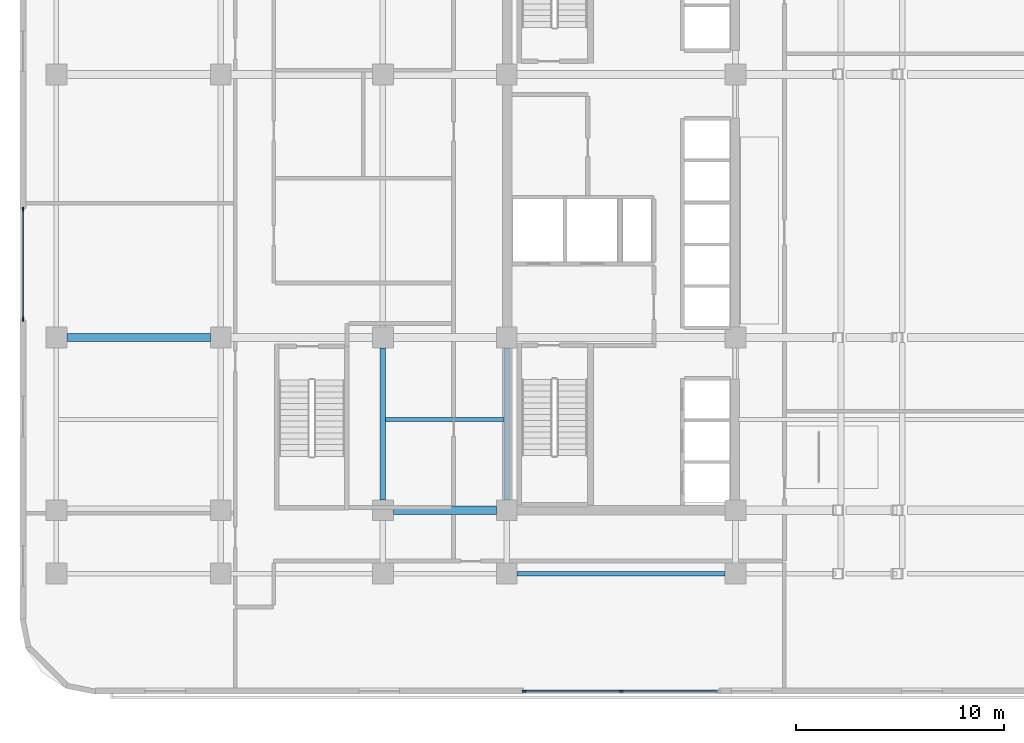
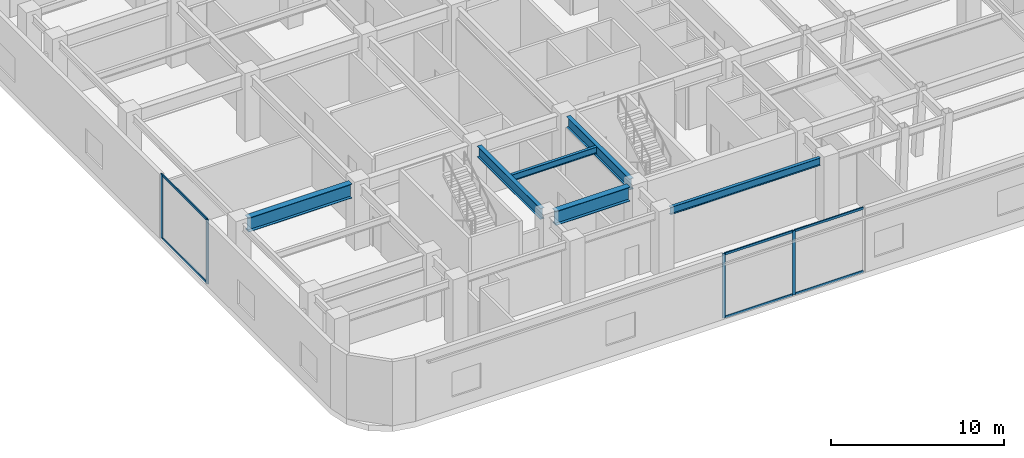
# One storey, part 2 of 18: 10 members, 6 beams, 2 elements without a shape of their own.
"""IFC4 building model written with IfcOpenShell, lengths in metres."""

from ifc_helpers import new_model, si_unit, direction, frame, origin, origin_2d, place, context, subcontext, project, spatial, rectangle, i_section, extrude, material, layer, layer_set, material_profile, profile_set, type_object, element, aggregate, save


model = new_model("IFC4")

# Units and contexts
model_context = context("Model", 3, precision=1e-05, world=origin(), true_north=direction((0.0, 1.0)))
body_context = subcontext(model_context, "Body", "Model", "MODEL_VIEW")
ifc_project = project(units=[si_unit("LENGTHUNIT", "METRE"), si_unit("AREAUNIT", "SQUARE_METRE"), si_unit("VOLUMEUNIT", "CUBIC_METRE"), si_unit("PLANEANGLEUNIT", "RADIAN"), si_unit("MASSUNIT", "GRAM", prefix="KILO")], contexts=[model_context])

# Site, building, storey
site_placement = place(None, origin())
site = spatial("IfcSite", under=ifc_project, at=site_placement, CompositionType="ELEMENT")
building_placement = place(site_placement, origin())
building = spatial("IfcBuilding", under=site, at=building_placement, Name="Ochreholt Gables", CompositionType="ELEMENT")
storey_placement = place(building_placement, frame((0.0, 0.0, 4.800048828125)))
storey = spatial("IfcBuildingStorey", under=building, at=storey_placement, Name="L01", CompositionType="ELEMENT", Elevation=4.800048828125)

# Beams
ifc_material_1 = material(Name="Steel CSA G40.21 350W", Category="steel")
ifc_material_profile_1 = material_profile(ifc_material_1, i_section(OverallWidth=0.39990234375, OverallDepth=1.0, WebThickness=0.0166015625, FlangeThickness=0.031005859375, at=origin_2d()), Name="W1000X321")
ifc_profile_set_1 = profile_set([ifc_material_profile_1], Name="Steel CSA G40.21 350W")
beam_type_1 = type_object("IfcBeamType", Name="BM-G-W1000", PredefinedType="BEAM", material=ifc_profile_set_1)
beam_1_placement = place(storey_placement, frame((18.74951171875, 9.25, 4.02001953125), z_axis=(1.0, 0.0, 0.0), x_axis=(0.0, 1.0, 0.0)))
element("IfcBeam", 1, at=beam_1_placement, inside=storey, type_object=beam_type_1, Name="L01 Beam BG-L01-W3C1-Y2", PredefinedType="BEAM", context=body_context, shape_type="SweptSolid", body=[
    extrude(i_section(OverallWidth=0.39990234375, OverallDepth=1.0, WebThickness=0.0166015625, FlangeThickness=0.031005859375, at=origin_2d()), origin(), (0.0, 0.0, 1.0), 4.950927734375),
])
beam_2_placement = place(storey_placement, frame((3.049560546875, 17.550048828125, 4.02001953125), z_axis=(1.0, 0.0, 0.0), x_axis=(0.0, 1.0, 0.0)))
element("IfcBeam", 2, at=beam_2_placement, inside=storey, type_object=beam_type_1, Name="L01 Beam BG-L01-W1W2-Y3", PredefinedType="BEAM", context=body_context, shape_type="SweptSolid", body=[
    extrude(i_section(OverallWidth=0.39990234375, OverallDepth=1.0, WebThickness=0.0166015625, FlangeThickness=0.031005859375, at=origin_2d()), origin(), (0.0, 0.0, 1.0), 6.90087890625),
])
ifc_material_profile_2 = material_profile(ifc_material_1, i_section(OverallWidth=0.26806640625, OverallDepth=0.77001953125, WebThickness=0.015625, FlangeThickness=0.025390625, at=origin_2d()), Name="W760X196")
ifc_profile_set_2 = profile_set([ifc_material_profile_2], Name="Steel CSA G40.21 350W")
beam_type_2 = type_object("IfcBeamType", Name="BM-G-W760", PredefinedType="BEAM", material=ifc_profile_set_2)
for number, where, z_axis, x_axis, name in (
    (3, (18.25, 9.74951171875, 4.135009765625), (0.0, 1.0, 0.0), (-1.0, 0.0, 0.0), "L01 Beam BG-L01-W3-Y2Y3"),
    (4, (24.199951171875, 9.74951171875, 4.135009765625), (0.0, 1.0, 0.0), (-1.0, 0.0, 0.0), "L01 Beam BG-L01-C1-Y2Y3"),
):
    element("IfcBeam", number, at=place(storey_placement, frame(where, z_axis=z_axis, x_axis=x_axis)), inside=storey, type_object=beam_type_2, Name=name, PredefinedType="BEAM", context=body_context, shape_type="SweptSolid", body=[
        extrude(i_section(OverallWidth=0.26806640625, OverallDepth=0.77001953125, WebThickness=0.015625, FlangeThickness=0.025390625, at=origin_2d()), origin(), (0.0, 0.0, 1.0), 7.30078125),
    ])
ifc_material_profile_3 = material_profile(ifc_material_1, i_section(OverallWidth=0.18994140625, OverallDepth=0.45703125, WebThickness=0.009033203125, FlangeThickness=0.014404296875, at=origin_2d()), Name="W460X74")
ifc_profile_set_3 = profile_set([ifc_material_profile_3], Name="Steel CSA G40.21 350W")
beam_type_3 = type_object("IfcBeamType", Name="BM-J-W460B", PredefinedType="JOIST", material=ifc_profile_set_3)
beam_3_placement = place(storey_placement, frame((18.383544921875, 13.60009765625, 4.29150390625), z_axis=(1.0, 0.0, 0.0), x_axis=(0.0, 1.0, 0.0)))
element("IfcBeam", 5, at=beam_3_placement, inside=storey, type_object=beam_type_3, Name="L01 Beam BJ-L01-J1-W3C1", PredefinedType="JOIST", context=body_context, shape_type="SweptSolid", body=[
    extrude(i_section(OverallWidth=0.18994140625, OverallDepth=0.45703125, WebThickness=0.009033203125, FlangeThickness=0.014404296875, at=origin_2d()), origin(), (0.0, 0.0, 1.0), 5.682861328125),
])
ifc_material_profile_4 = material_profile(ifc_material_1, i_section(OverallWidth=0.208984375, OverallDepth=0.532958984375, WebThickness=0.01025390625, FlangeThickness=0.015625, at=origin_2d()), Name="W530X92")
ifc_profile_set_4 = profile_set([ifc_material_profile_4], Name="Steel CSA G40.21 350W")
beam_type_4 = type_object("IfcBeamType", Name="BM-SP-W530B", PredefinedType="SPANDREL", material=ifc_profile_set_4)
beam_4_placement = place(storey_placement, frame((24.69970703125, 6.199951171875, 4.25341796875), z_axis=(1.0, 0.0, 0.0), x_axis=(0.0, 1.0, 0.0)))
element("IfcBeam", 6, at=beam_4_placement, inside=storey, type_object=beam_type_4, Name="L01 Beam BG-L01-C1C2-Y1", PredefinedType="SPANDREL", context=body_context, shape_type="SweptSolid", body=[
    extrude(i_section(OverallWidth=0.208984375, OverallDepth=0.532958984375, WebThickness=0.01025390625, FlangeThickness=0.015625, at=origin_2d()), origin(), (0.0, 0.0, 1.0), 10.000732421875),
])

# Curtain wall, members
ifc_material_2 = material(Name="Unitised Aluminium and Triple Glazing", Category="aluminium")
ifc_layer = layer(ifc_material_2, 0.199951171875, Name="Unitised Aluminium and Triple Glazing")
ifc_layer_set = layer_set([ifc_layer], Name="Unitised Aluminium and Triple Glazing")
curtain_wall_type = type_object("IfcCurtainWallType", Name="CW-SYS1", PredefinedType="NOTDEFINED", material=ifc_layer_set)
curtain_wall_1_placement = place(storey_placement, origin())
curtain_wall_1 = element("IfcCurtainWall", 7, at=curtain_wall_1_placement, inside=storey, type_object=curtain_wall_type, Name="L01 South Unitised Curtain Wall", PredefinedType="NOTDEFINED")
ifc_material_3 = material(Name="Anodized Aluminium 6063-T6", Category="aluminium")
ifc_material_profile_5 = material_profile(ifc_material_3, rectangle(XDim=0.074951171875, YDim=0.199951171875, at=origin_2d()), Name="CWM75X200")
ifc_profile_set_5 = profile_set([ifc_material_profile_5], Name="Anodized Aluminium 6063-T6")
member_type_1 = type_object("IfcMemberType", Name="CW-MUL-A", PredefinedType="MULLION", material=ifc_profile_set_5)
member_1_placement = place(storey_placement, frame((25.03759765625, 0.544921875, 0.0), z_axis=(0.0, 0.0, 1.0), x_axis=(0.0, 1.0, 0.0)))
member_1 = element("IfcMember", 8, at=member_1_placement, type_object=member_type_1, Name="CW-1 mullion 1", PredefinedType="MULLION", context=body_context, shape_type="SweptSolid", body=[
    extrude(rectangle(XDim=0.074951171875, YDim=0.199951171875, at=origin_2d()), origin(), (0.0, 0.0, 1.0), 4.52001953125),
])
member_2_placement = place(storey_placement, frame((29.699951171875, 0.544921875, 0.0), z_axis=(0.0, 0.0, 1.0), x_axis=(0.0, 1.0, 0.0)))
member_2 = element("IfcMember", 9, at=member_2_placement, type_object=member_type_1, Name="CW-1 mullion 2", PredefinedType="MULLION", context=body_context, shape_type="SweptSolid", body=[
    extrude(rectangle(XDim=0.074951171875, YDim=0.199951171875, at=origin_2d()), origin(), (0.0, 0.0, 1.0), 4.52001953125),
])

curtain_wall_2_placement = place(storey_placement, origin())
curtain_wall_2 = element("IfcCurtainWall", 10, at=curtain_wall_2_placement, inside=storey, type_object=curtain_wall_type, Name="L01 West Unitised Curtain Wall", PredefinedType="NOTDEFINED")
member_3_placement = place(storey_placement, frame((0.945068359375, 23.71240234375, 0.0), z_axis=(0.0, 0.0, 1.0), x_axis=(1.0, 0.0, 0.0)))
member_3 = element("IfcMember", 11, at=member_3_placement, type_object=member_type_1, Name="CW-1 mullion 1", PredefinedType="MULLION", context=body_context, shape_type="SweptSolid", body=[
    extrude(rectangle(XDim=0.074951171875, YDim=0.199951171875, at=origin_2d()), origin(), (0.0, 0.0, 1.0), 4.52001953125),
])
member_4_placement = place(storey_placement, frame((0.945068359375, 18.4375, 0.0), z_axis=(0.0, 0.0, 1.0), x_axis=(1.0, 0.0, 0.0)))
member_4 = element("IfcMember", 12, at=member_4_placement, type_object=member_type_1, Name="CW-1 mullion 2", PredefinedType="MULLION", context=body_context, shape_type="SweptSolid", body=[
    extrude(rectangle(XDim=0.074951171875, YDim=0.199951171875, at=origin_2d()), origin(), (0.0, 0.0, 1.0), 4.52001953125),
])

# Member
ifc_material_profile_6 = material_profile(ifc_material_3, rectangle(XDim=0.074951171875, YDim=0.159912109375, at=origin_2d()), Name="CWT75X160")
ifc_profile_set_6 = profile_set([ifc_material_profile_6], Name="Anodized Aluminium 6063-T6")
member_type_2 = type_object("IfcMemberType", Name="CW-TRN-A", PredefinedType="USERDEFINED", material=ifc_profile_set_6)
member_5_placement = place(storey_placement, frame((25.074951171875, 0.544921875, 0.037353515625), z_axis=(1.0, 0.0, 0.0), x_axis=(0.0, 1.0, 0.0)))
member_5 = element("IfcMember", 13, at=member_5_placement, type_object=member_type_2, Name="CW-1 transom 1.1", ObjectType="TRANSOM", PredefinedType="USERDEFINED", context=body_context, shape_type="SweptSolid", body=[
    extrude(rectangle(XDim=0.074951171875, YDim=0.159912109375, at=origin_2d()), origin(), (0.0, 0.0, 1.0), 4.587646484375),
])

member_6_placement = place(storey_placement, frame((25.074951171875, 0.544921875, 4.482421875), z_axis=(1.0, 0.0, 0.0), x_axis=(0.0, 1.0, 0.0)))
member_6 = element("IfcMember", 14, at=member_6_placement, type_object=member_type_2, Name="CW-1 transom 1.2", ObjectType="TRANSOM", PredefinedType="USERDEFINED", context=body_context, shape_type="SweptSolid", body=[
    extrude(rectangle(XDim=0.074951171875, YDim=0.159912109375, at=origin_2d()), origin(), (0.0, 0.0, 1.0), 4.587646484375),
])

member_7_placement = place(storey_placement, frame((29.737548828125, 0.544921875, 0.037353515625), z_axis=(1.0, 0.0, 0.0), x_axis=(0.0, 1.0, 0.0)))
member_7 = element("IfcMember", 15, at=member_7_placement, type_object=member_type_2, Name="CW-1 transom 2.1", ObjectType="TRANSOM", PredefinedType="USERDEFINED", context=body_context, shape_type="SweptSolid", body=[
    extrude(rectangle(XDim=0.074951171875, YDim=0.159912109375, at=origin_2d()), origin(), (0.0, 0.0, 1.0), 4.58740234375),
])

member_8_placement = place(storey_placement, frame((29.737548828125, 0.544921875, 4.482421875), z_axis=(1.0, 0.0, 0.0), x_axis=(0.0, 1.0, 0.0)))
member_8 = element("IfcMember", 16, at=member_8_placement, type_object=member_type_2, Name="CW-1 transom 2.2", ObjectType="TRANSOM", PredefinedType="USERDEFINED", context=body_context, shape_type="SweptSolid", body=[
    extrude(rectangle(XDim=0.074951171875, YDim=0.159912109375, at=origin_2d()), origin(), (0.0, 0.0, 1.0), 4.58740234375),
])

aggregate(curtain_wall_1, [member_1, member_2, member_5, member_6, member_7, member_8])

member_9_placement = place(storey_placement, frame((0.945068359375, 23.675048828125, 0.037353515625), z_axis=(0.0, -1.0, 0.0), x_axis=(1.0, 0.0, 0.0)))
member_9 = element("IfcMember", 17, at=member_9_placement, type_object=member_type_2, Name="CW-1 transom 1.1", ObjectType="TRANSOM", PredefinedType="USERDEFINED", context=body_context, shape_type="SweptSolid", body=[
    extrude(rectangle(XDim=0.074951171875, YDim=0.159912109375, at=origin_2d()), origin(), (0.0, 0.0, 1.0), 5.199951171875),
])

member_10_placement = place(storey_placement, frame((0.945068359375, 23.675048828125, 4.482421875), z_axis=(0.0, -1.0, 0.0), x_axis=(1.0, 0.0, 0.0)))
member_10 = element("IfcMember", 18, at=member_10_placement, type_object=member_type_2, Name="CW-1 transom 1.2", ObjectType="TRANSOM", PredefinedType="USERDEFINED", context=body_context, shape_type="SweptSolid", body=[
    extrude(rectangle(XDim=0.074951171875, YDim=0.159912109375, at=origin_2d()), origin(), (0.0, 0.0, 1.0), 5.199951171875),
])

aggregate(curtain_wall_2, [member_3, member_4, member_9, member_10])

save(model, "model.ifc")
